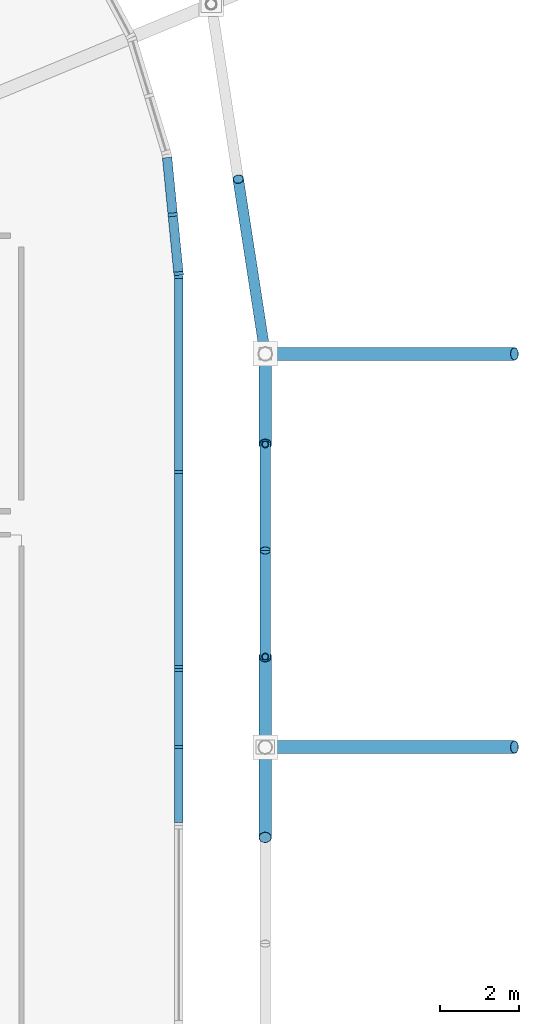
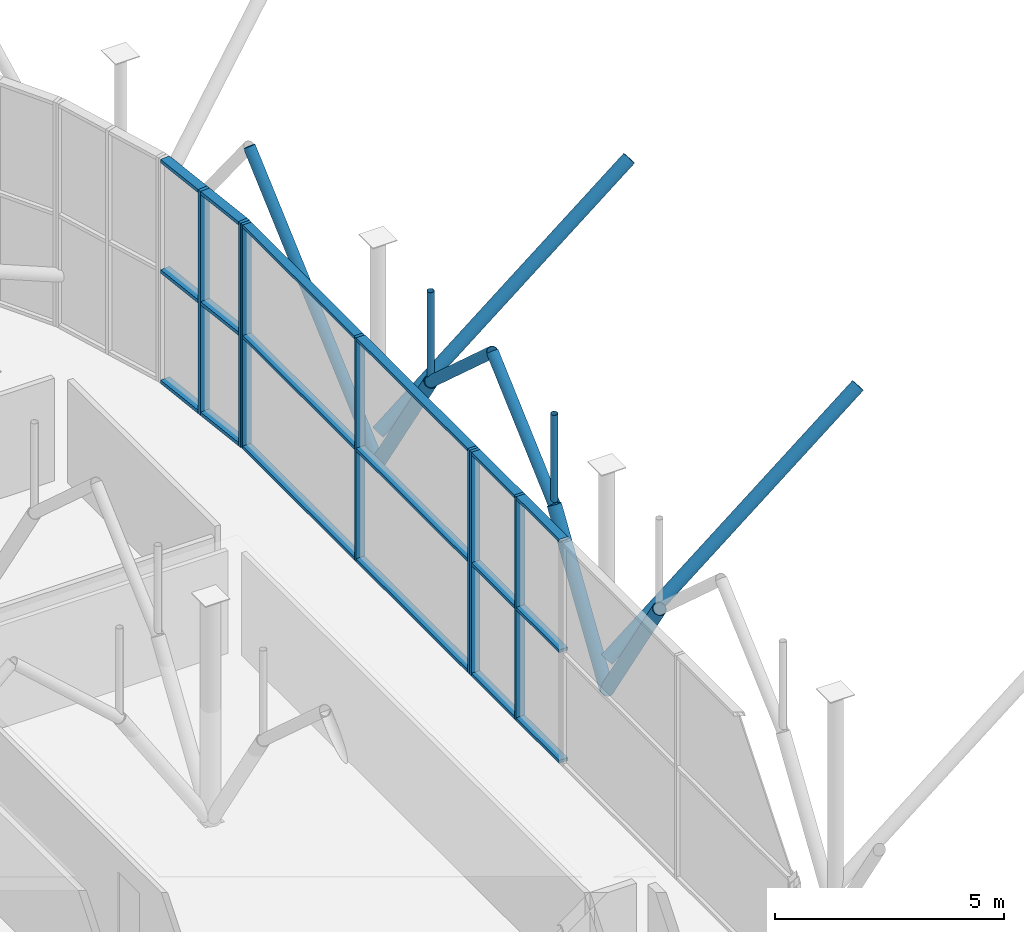
# One storey, part 79 of 109: 35 members, 3 elements without a shape of their own.
"""IFC4 building model written with IfcOpenShell, lengths in metres."""

from ifc_helpers import new_model, si_unit, derived_unit, direction, frame, origin, origin_2d_with_axis, place, context, subcontext, project, spatial, rectangle, hollow_circle, extrude, material, material_profile, profile_set, type_object, element, aggregate, save


model = new_model("IFC4")

# Units and contexts
model_context = context("Model", 3, precision=1e-05, world=origin(), true_north=direction((0.0, 1.0)))
body_context = subcontext(model_context, "Body", "Model", "MODEL_VIEW")
ifc_project = project(units=[si_unit("LENGTHUNIT", "METRE"), si_unit("AREAUNIT", "SQUARE_METRE"), si_unit("VOLUMEUNIT", "CUBIC_METRE"), si_unit("PLANEANGLEUNIT", "RADIAN"), si_unit("MASSUNIT", "GRAM", prefix="KILO"), derived_unit("THERMALTRANSMITTANCEUNIT", [(si_unit("POWERUNIT", "WATT"), 1), (si_unit("LENGTHUNIT", "METRE"), -2), (si_unit("THERMODYNAMICTEMPERATUREUNIT", "KELVIN"), -1)])], contexts=[model_context])

# Site, building, storey
site_placement = place(None, origin())
site = spatial("IfcSite", under=ifc_project, at=site_placement, CompositionType="ELEMENT")
building_placement = place(site_placement, origin())
building = spatial("IfcBuilding", under=site, at=building_placement, Name="Cinnabar Yard Market Hall", CompositionType="ELEMENT")
storey_placement = place(building_placement, frame((0.0, 0.0, 8.39990234375)))
storey = spatial("IfcBuildingStorey", under=building, at=storey_placement, Name="L02", CompositionType="ELEMENT", Elevation=8.39990234375)

# Curtain wall, members
ifc_material_1 = material(Name="Anodised bronze aluminium curved-chord facade", Category="aluminium")
curtain_wall_type_1 = type_object("IfcCurtainWallType", Name="CW-CWC031x60", PredefinedType="NOTDEFINED", material=ifc_material_1)
curtain_wall_1_placement = place(storey_placement, origin())
curtain_wall_1 = element("IfcCurtainWall", 1, at=curtain_wall_1_placement, inside=storey, type_object=curtain_wall_type_1, Name="Corner NE Chord 1 L02", PredefinedType="NOTDEFINED")
ifc_material_2 = material(Name="Anodised bronze aluminium", Category="aluminium")
ifc_material_profile_1 = material_profile(ifc_material_2, rectangle(XDim=0.239990234375, YDim=0.090087890625, at=origin_2d_with_axis()), Name="MUL-CWC")
ifc_profile_set_1 = profile_set([ifc_material_profile_1], Name="Anodised bronze aluminium")
member_type_1 = type_object("IfcMemberType", Name="CWM-CWC", PredefinedType="MULLION", material=ifc_profile_set_1)
member_1_placement = place(storey_placement, frame((163.795654296875, 56.044677734375, 0.0), z_axis=(0.0, 0.0, 1.0), x_axis=(-0.995184408637, -0.098020369342, 0.0)))
member_1 = element("IfcMember", 2, at=member_1_placement, type_object=member_type_1, Name="CWC031x60 mullion 1", PredefinedType="MULLION", context=body_context, shape_type="SweptSolid", body=[
    extrude(rectangle(XDim=0.239990234375, YDim=0.090087890625, at=origin_2d_with_axis()), origin(), (0.0, 0.0, 1.0), 5.97998046875),
])
member_2_placement = place(storey_placement, frame((163.648193359375, 57.541259765625, 0.0), z_axis=(0.0, 0.0, 1.0), x_axis=(-0.995184408637, -0.098020369342, 0.0)))
member_2 = element("IfcMember", 3, at=member_2_placement, type_object=member_type_1, Name="CWC031x60 mullion 2", PredefinedType="MULLION", context=body_context, shape_type="SweptSolid", body=[
    extrude(rectangle(XDim=0.239990234375, YDim=0.090087890625, at=origin_2d_with_axis()), origin(), (0.0, 0.0, 1.0), 5.97998046875),
])

ifc_material_3 = material(Name="Anodised bronze aluminium and low-E glass", Category="aluminium")
curtain_wall_type_2 = type_object("IfcCurtainWallType", Name="CW-CWH040x60", PredefinedType="NOTDEFINED", material=ifc_material_3)
curtain_wall_2_placement = place(storey_placement, origin())
curtain_wall_2 = element("IfcCurtainWall", 4, at=curtain_wall_2_placement, inside=storey, type_object=curtain_wall_type_2, Name="Market Hall East Upper Clerestory WPT", PredefinedType="NOTDEFINED")
ifc_material_profile_2 = material_profile(ifc_material_2, rectangle(XDim=0.219970703125, YDim=0.080078125, at=origin_2d_with_axis()), Name="MUL-CWH")
ifc_profile_set_2 = profile_set([ifc_material_profile_2], Name="Anodised bronze aluminium")
member_type_2 = type_object("IfcMemberType", Name="CWM-CWH", PredefinedType="MULLION", material=ifc_profile_set_2)
member_3_placement = place(storey_placement, frame((163.800048828125, 44.0, 0.0), z_axis=(0.0, 0.0, 1.0), x_axis=(-1.0, 0.0, 0.0)))
member_3 = element("IfcMember", 5, at=member_3_placement, type_object=member_type_2, Name="CWH040x60 mullion 2", PredefinedType="MULLION", context=body_context, shape_type="SweptSolid", body=[
    extrude(rectangle(XDim=0.219970703125, YDim=0.080078125, at=origin_2d_with_axis()), origin(), (0.0, 0.0, 1.0), 5.97998046875),
])
member_4_placement = place(storey_placement, frame((163.800048828125, 45.9599609375, 0.0), z_axis=(0.0, 0.0, 1.0), x_axis=(-1.0, 0.0, 0.0)))
member_4 = element("IfcMember", 6, at=member_4_placement, type_object=member_type_2, Name="CWH040x60 mullion 3", PredefinedType="MULLION", context=body_context, shape_type="SweptSolid", body=[
    extrude(rectangle(XDim=0.219970703125, YDim=0.080078125, at=origin_2d_with_axis()), origin(), (0.0, 0.0, 1.0), 5.97998046875),
])

curtain_wall_type_3 = type_object("IfcCurtainWallType", Name="CW-CWH100x60", PredefinedType="NOTDEFINED", material=ifc_material_3)
curtain_wall_3_placement = place(storey_placement, origin())
curtain_wall_3 = element("IfcCurtainWall", 7, at=curtain_wall_3_placement, inside=storey, type_object=curtain_wall_type_3, Name="Market Hall East Upper Clerestory W2", PredefinedType="NOTDEFINED")
member_5_placement = place(storey_placement, frame((163.800048828125, 46.0400390625, 0.0), z_axis=(0.0, 0.0, 1.0), x_axis=(-1.0, 0.0, 0.0)))
member_5 = element("IfcMember", 8, at=member_5_placement, type_object=member_type_2, Name="CWH100x60 mullion 1", PredefinedType="MULLION", context=body_context, shape_type="SweptSolid", body=[
    extrude(rectangle(XDim=0.219970703125, YDim=0.080078125, at=origin_2d_with_axis()), origin(), (0.0, 0.0, 1.0), 5.97998046875),
])
member_6_placement = place(storey_placement, frame((163.800048828125, 51.0, 0.0), z_axis=(0.0, 0.0, 1.0), x_axis=(-1.0, 0.0, 0.0)))
member_6 = element("IfcMember", 9, at=member_6_placement, type_object=member_type_2, Name="CWH100x60 mullion 2", PredefinedType="MULLION", context=body_context, shape_type="SweptSolid", body=[
    extrude(rectangle(XDim=0.219970703125, YDim=0.080078125, at=origin_2d_with_axis()), origin(), (0.0, 0.0, 1.0), 5.97998046875),
])
member_7_placement = place(storey_placement, frame((163.800048828125, 55.9599609375, 0.0), z_axis=(0.0, 0.0, 1.0), x_axis=(-1.0, 0.0, 0.0)))
member_7 = element("IfcMember", 10, at=member_7_placement, type_object=member_type_2, Name="CWH100x60 mullion 3", PredefinedType="MULLION", context=body_context, shape_type="SweptSolid", body=[
    extrude(rectangle(XDim=0.219970703125, YDim=0.080078125, at=origin_2d_with_axis()), origin(), (0.0, 0.0, 1.0), 5.97998046875),
])

# Member
ifc_material_profile_3 = material_profile(ifc_material_2, rectangle(XDim=0.239990234375, YDim=0.090087890625, at=origin_2d_with_axis()), Name="TRN-CWC")
ifc_profile_set_3 = profile_set([ifc_material_profile_3], Name="Anodised bronze aluminium")
member_type_3 = type_object("IfcMemberType", Name="CWT-CWC", PredefinedType="USERDEFINED", material=ifc_profile_set_3)
member_8_placement = place(storey_placement, frame((163.791259765625, 56.089599609375, 0.045166015625), z_axis=(-0.098101390058, 0.995176425197, 0.0), x_axis=(-0.995176425197, -0.098101390058, 0.0)))
member_8 = element("IfcMember", 11, at=member_8_placement, type_object=member_type_3, Name="CWC031x60 transom 1.1", ObjectType="TRANSOM", PredefinedType="USERDEFINED", context=body_context, shape_type="SweptSolid", body=[
    extrude(rectangle(XDim=0.239990234375, YDim=0.090087890625, at=origin_2d_with_axis()), origin(), (0.0, 0.0, 1.0), 1.41357421875),
])

member_9_placement = place(storey_placement, frame((163.791259765625, 56.089599609375, 2.989990234375), z_axis=(-0.098101390058, 0.995176425197, 0.0), x_axis=(-0.995176425197, -0.098101390058, 0.0)))
member_9 = element("IfcMember", 12, at=member_9_placement, type_object=member_type_3, Name="CWC031x60 transom 1.2", ObjectType="TRANSOM", PredefinedType="USERDEFINED", context=body_context, shape_type="SweptSolid", body=[
    extrude(rectangle(XDim=0.239990234375, YDim=0.090087890625, at=origin_2d_with_axis()), origin(), (0.0, 0.0, 1.0), 1.41357421875),
])

member_10_placement = place(storey_placement, frame((163.791259765625, 56.089599609375, 5.93505859375), z_axis=(-0.098101390058, 0.995176425197, 0.0), x_axis=(-0.995176425197, -0.098101390058, 0.0)))
member_10 = element("IfcMember", 13, at=member_10_placement, type_object=member_type_3, Name="CWC031x60 transom 1.3", ObjectType="TRANSOM", PredefinedType="USERDEFINED", context=body_context, shape_type="SweptSolid", body=[
    extrude(rectangle(XDim=0.239990234375, YDim=0.090087890625, at=origin_2d_with_axis()), origin(), (0.0, 0.0, 1.0), 1.41357421875),
])

member_11_placement = place(storey_placement, frame((163.643798828125, 57.5859375, 0.045166015625), z_axis=(-0.098084531214, 0.995178086946, 0.0), x_axis=(-0.995178086946, -0.098084531214, 0.0)))
member_11 = element("IfcMember", 14, at=member_11_placement, type_object=member_type_3, Name="CWC031x60 transom 2.1", ObjectType="TRANSOM", PredefinedType="USERDEFINED", context=body_context, shape_type="SweptSolid", body=[
    extrude(rectangle(XDim=0.239990234375, YDim=0.090087890625, at=origin_2d_with_axis()), origin(), (0.0, 0.0, 1.0), 1.413818359375),
])

member_12_placement = place(storey_placement, frame((163.643798828125, 57.5859375, 2.989990234375), z_axis=(-0.098084531214, 0.995178086946, 0.0), x_axis=(-0.995178086946, -0.098084531214, 0.0)))
member_12 = element("IfcMember", 15, at=member_12_placement, type_object=member_type_3, Name="CWC031x60 transom 2.2", ObjectType="TRANSOM", PredefinedType="USERDEFINED", context=body_context, shape_type="SweptSolid", body=[
    extrude(rectangle(XDim=0.239990234375, YDim=0.090087890625, at=origin_2d_with_axis()), origin(), (0.0, 0.0, 1.0), 1.413818359375),
])

member_13_placement = place(storey_placement, frame((163.643798828125, 57.5859375, 5.93505859375), z_axis=(-0.098084531214, 0.995178086946, 0.0), x_axis=(-0.995178086946, -0.098084531214, 0.0)))
member_13 = element("IfcMember", 16, at=member_13_placement, type_object=member_type_3, Name="CWC031x60 transom 2.3", ObjectType="TRANSOM", PredefinedType="USERDEFINED", context=body_context, shape_type="SweptSolid", body=[
    extrude(rectangle(XDim=0.239990234375, YDim=0.090087890625, at=origin_2d_with_axis()), origin(), (0.0, 0.0, 1.0), 1.413818359375),
])

aggregate(curtain_wall_1, [member_1, member_2, member_8, member_9, member_10, member_11, member_12, member_13])

ifc_material_profile_4 = material_profile(ifc_material_2, rectangle(XDim=0.219970703125, YDim=0.080078125, at=origin_2d_with_axis()), Name="TRN-CWH")
ifc_profile_set_4 = profile_set([ifc_material_profile_4], Name="Anodised bronze aluminium")
member_type_4 = type_object("IfcMemberType", Name="CWT-CWH", PredefinedType="USERDEFINED", material=ifc_profile_set_4)
member_14_placement = place(storey_placement, frame((163.800048828125, 42.080078125, 0.0400390625), z_axis=(0.0, 1.0, 0.0), x_axis=(-1.0, 0.0, 0.0)))
member_14 = element("IfcMember", 17, at=member_14_placement, type_object=member_type_4, Name="CWH040x60 transom 1.1", ObjectType="TRANSOM", PredefinedType="USERDEFINED", context=body_context, shape_type="SweptSolid", body=[
    extrude(rectangle(XDim=0.219970703125, YDim=0.080078125, at=origin_2d_with_axis()), origin(), (0.0, 0.0, 1.0), 1.8798828125),
])

member_15_placement = place(storey_placement, frame((163.800048828125, 42.080078125, 2.989990234375), z_axis=(0.0, 1.0, 0.0), x_axis=(-1.0, 0.0, 0.0)))
member_15 = element("IfcMember", 18, at=member_15_placement, type_object=member_type_4, Name="CWH040x60 transom 1.2", ObjectType="TRANSOM", PredefinedType="USERDEFINED", context=body_context, shape_type="SweptSolid", body=[
    extrude(rectangle(XDim=0.219970703125, YDim=0.080078125, at=origin_2d_with_axis()), origin(), (0.0, 0.0, 1.0), 1.8798828125),
])

member_16_placement = place(storey_placement, frame((163.800048828125, 42.080078125, 5.940185546875), z_axis=(0.0, 1.0, 0.0), x_axis=(-1.0, 0.0, 0.0)))
member_16 = element("IfcMember", 19, at=member_16_placement, type_object=member_type_4, Name="CWH040x60 transom 1.3", ObjectType="TRANSOM", PredefinedType="USERDEFINED", context=body_context, shape_type="SweptSolid", body=[
    extrude(rectangle(XDim=0.219970703125, YDim=0.080078125, at=origin_2d_with_axis()), origin(), (0.0, 0.0, 1.0), 1.8798828125),
])

member_17_placement = place(storey_placement, frame((163.800048828125, 44.0400390625, 0.0400390625), z_axis=(0.0, 1.0, 0.0), x_axis=(-1.0, 0.0, 0.0)))
member_17 = element("IfcMember", 20, at=member_17_placement, type_object=member_type_4, Name="CWH040x60 transom 2.1", ObjectType="TRANSOM", PredefinedType="USERDEFINED", context=body_context, shape_type="SweptSolid", body=[
    extrude(rectangle(XDim=0.219970703125, YDim=0.080078125, at=origin_2d_with_axis()), origin(), (0.0, 0.0, 1.0), 1.8798828125),
])

member_18_placement = place(storey_placement, frame((163.800048828125, 44.0400390625, 2.989990234375), z_axis=(0.0, 1.0, 0.0), x_axis=(-1.0, 0.0, 0.0)))
member_18 = element("IfcMember", 21, at=member_18_placement, type_object=member_type_4, Name="CWH040x60 transom 2.2", ObjectType="TRANSOM", PredefinedType="USERDEFINED", context=body_context, shape_type="SweptSolid", body=[
    extrude(rectangle(XDim=0.219970703125, YDim=0.080078125, at=origin_2d_with_axis()), origin(), (0.0, 0.0, 1.0), 1.8798828125),
])

member_19_placement = place(storey_placement, frame((163.800048828125, 44.0400390625, 5.940185546875), z_axis=(0.0, 1.0, 0.0), x_axis=(-1.0, 0.0, 0.0)))
member_19 = element("IfcMember", 22, at=member_19_placement, type_object=member_type_4, Name="CWH040x60 transom 2.3", ObjectType="TRANSOM", PredefinedType="USERDEFINED", context=body_context, shape_type="SweptSolid", body=[
    extrude(rectangle(XDim=0.219970703125, YDim=0.080078125, at=origin_2d_with_axis()), origin(), (0.0, 0.0, 1.0), 1.8798828125),
])

aggregate(curtain_wall_2, [member_3, member_4, member_14, member_15, member_16, member_17, member_18, member_19])

member_20_placement = place(storey_placement, frame((163.800048828125, 46.080078125, 0.0400390625), z_axis=(0.0, 1.0, 0.0), x_axis=(-1.0, 0.0, 0.0)))
member_20 = element("IfcMember", 23, at=member_20_placement, type_object=member_type_4, Name="CWH100x60 transom 1.1", ObjectType="TRANSOM", PredefinedType="USERDEFINED", context=body_context, shape_type="SweptSolid", body=[
    extrude(rectangle(XDim=0.219970703125, YDim=0.080078125, at=origin_2d_with_axis()), origin(), (0.0, 0.0, 1.0), 4.8798828125),
])

member_21_placement = place(storey_placement, frame((163.800048828125, 46.080078125, 2.989990234375), z_axis=(0.0, 1.0, 0.0), x_axis=(-1.0, 0.0, 0.0)))
member_21 = element("IfcMember", 24, at=member_21_placement, type_object=member_type_4, Name="CWH100x60 transom 1.2", ObjectType="TRANSOM", PredefinedType="USERDEFINED", context=body_context, shape_type="SweptSolid", body=[
    extrude(rectangle(XDim=0.219970703125, YDim=0.080078125, at=origin_2d_with_axis()), origin(), (0.0, 0.0, 1.0), 4.8798828125),
])

member_22_placement = place(storey_placement, frame((163.800048828125, 46.080078125, 5.940185546875), z_axis=(0.0, 1.0, 0.0), x_axis=(-1.0, 0.0, 0.0)))
member_22 = element("IfcMember", 25, at=member_22_placement, type_object=member_type_4, Name="CWH100x60 transom 1.3", ObjectType="TRANSOM", PredefinedType="USERDEFINED", context=body_context, shape_type="SweptSolid", body=[
    extrude(rectangle(XDim=0.219970703125, YDim=0.080078125, at=origin_2d_with_axis()), origin(), (0.0, 0.0, 1.0), 4.8798828125),
])

member_23_placement = place(storey_placement, frame((163.800048828125, 51.0400390625, 0.0400390625), z_axis=(0.0, 1.0, 0.0), x_axis=(-1.0, 0.0, 0.0)))
member_23 = element("IfcMember", 26, at=member_23_placement, type_object=member_type_4, Name="CWH100x60 transom 2.1", ObjectType="TRANSOM", PredefinedType="USERDEFINED", context=body_context, shape_type="SweptSolid", body=[
    extrude(rectangle(XDim=0.219970703125, YDim=0.080078125, at=origin_2d_with_axis()), origin(), (0.0, 0.0, 1.0), 4.8798828125),
])

member_24_placement = place(storey_placement, frame((163.800048828125, 51.0400390625, 2.989990234375), z_axis=(0.0, 1.0, 0.0), x_axis=(-1.0, 0.0, 0.0)))
member_24 = element("IfcMember", 27, at=member_24_placement, type_object=member_type_4, Name="CWH100x60 transom 2.2", ObjectType="TRANSOM", PredefinedType="USERDEFINED", context=body_context, shape_type="SweptSolid", body=[
    extrude(rectangle(XDim=0.219970703125, YDim=0.080078125, at=origin_2d_with_axis()), origin(), (0.0, 0.0, 1.0), 4.8798828125),
])

member_25_placement = place(storey_placement, frame((163.800048828125, 51.0400390625, 5.940185546875), z_axis=(0.0, 1.0, 0.0), x_axis=(-1.0, 0.0, 0.0)))
member_25 = element("IfcMember", 28, at=member_25_placement, type_object=member_type_4, Name="CWH100x60 transom 2.3", ObjectType="TRANSOM", PredefinedType="USERDEFINED", context=body_context, shape_type="SweptSolid", body=[
    extrude(rectangle(XDim=0.219970703125, YDim=0.080078125, at=origin_2d_with_axis()), origin(), (0.0, 0.0, 1.0), 4.8798828125),
])

aggregate(curtain_wall_3, [member_5, member_6, member_7, member_20, member_21, member_22, member_23, member_24, member_25])

# Members
ifc_material_4 = material(Name="Spotted-gum glulam-clad steel Grade 350 (350 MPa)", Category="steel")
ifc_material_profile_5 = material_profile(ifc_material_4, hollow_circle(Radius=0.136474609375, WallThickness=0.00927734375, at=origin_2d_with_axis()), Name="273.1x9.3CHS")
ifc_profile_set_5 = profile_set([ifc_material_profile_5], Name="Spotted-gum glulam-clad steel Grade 350 (350 MPa)")
member_type_5 = type_object("IfcMemberType", Name="MB-AR01E", PredefinedType="USERDEFINED", material=ifc_profile_set_5)
for number, where, z_axis, x_axis, name in (
    (29, (166.0, 46.300048828125, 3.550048828125), (0.0, 0.743297488271, 0.668961018244), (-1.0, 0.0, 0.0), "Pointed Arch Rib 0173"),
    (30, (166.0, 51.699951171875, 3.550048828125), (0.0, -0.743297488271, 0.668961018244), (1.0, 0.0, 0.0), "Pointed Arch Rib 0176"),
):
    element("IfcMember", number, at=place(storey_placement, frame(where, z_axis=z_axis, x_axis=x_axis)), inside=storey, type_object=member_type_5, Name=name, ObjectType="ARCH RIB", PredefinedType="USERDEFINED", context=body_context, shape_type="SweptSolid", body=[
        extrude(hollow_circle(Radius=0.136474609375, WallThickness=0.00927734375, at=origin_2d_with_axis()), origin(), (0.0, 0.0, 1.0), 3.63232421875),
    ])
member_26_placement = place(storey_placement, frame((166.0, 54.0, 0.0), z_axis=(-0.09156162834, 0.593975880497, 0.799255354441), x_axis=(-0.988326460719, -0.152350933845, 0.0)))
element("IfcMember", 31, at=member_26_placement, inside=storey, type_object=member_type_5, Name="Corner Pointed Arch NE 1A", ObjectType="ARCH RIB", PredefinedType="USERDEFINED", context=body_context, shape_type="SweptSolid", body=[
    extrude(hollow_circle(Radius=0.136474609375, WallThickness=0.00927734375, at=origin_2d_with_axis()), origin(), (0.0, 0.0, 1.0), 7.48193359375),
])
ifc_material_profile_6 = material_profile(ifc_material_4, hollow_circle(Radius=0.161865234375, WallThickness=0.009521484375, at=origin_2d_with_axis()), Name="323.9x9.5CHS")
ifc_profile_set_6 = profile_set([ifc_material_profile_6], Name="Spotted-gum glulam-clad steel Grade 350 (350 MPa)")
member_type_6 = type_object("IfcMemberType", Name="MB-ST01E", PredefinedType="STRUT", material=ifc_profile_set_6)
for number, where, z_axis, x_axis, name in (
    (32, (166.0, 44.0, 0.0), (0.0, 0.543744165176, 0.839251024925), (-1.0, 0.0, 0.0), "Curved Branch Arm Lower 0173"),
    (33, (166.0, 44.0, 0.0), (0.0, -0.543744165176, 0.839251024925), (1.0, 0.0, 0.0), "Curved Branch Arm Lower 0174"),
    (34, (166.0, 54.0, 0.0), (0.0, -0.543744165176, 0.839251024925), (1.0, 0.0, 0.0), "Curved Branch Arm Lower 0176"),
):
    element("IfcMember", number, at=place(storey_placement, frame(where, z_axis=z_axis, x_axis=x_axis)), inside=storey, type_object=member_type_6, Name=name, PredefinedType="STRUT", context=body_context, shape_type="SweptSolid", body=[
        extrude(hollow_circle(Radius=0.161865234375, WallThickness=0.009521484375, at=origin_2d_with_axis()), origin(), (0.0, 0.0, 1.0), 4.22998046875),
    ])
for number, where, z_axis, x_axis, name in (
    (35, (166.0, 44.0, 0.800048828125), (0.779185735248, 0.0, 0.626793099824), (0.0, 1.0, 0.0), "East Chhajja Bracket Arm 44"),
    (36, (166.0, 54.0, 0.800048828125), (0.779185735248, 0.0, 0.626793099824), (0.0, 1.0, 0.0), "East Chhajja Bracket Arm 54"),
):
    element("IfcMember", number, at=place(storey_placement, frame(where, z_axis=z_axis, x_axis=x_axis)), inside=storey, type_object=member_type_6, Name=name, PredefinedType="STRUT", context=body_context, shape_type="SweptSolid", body=[
        extrude(hollow_circle(Radius=0.161865234375, WallThickness=0.009521484375, at=origin_2d_with_axis()), origin(), (0.0, 0.0, 1.0), 8.13671875),
    ])
ifc_material_5 = material(Name="Cold-formed steel C350L0", Category="steel")
ifc_material_profile_7 = material_profile(ifc_material_5, hollow_circle(Radius=0.084228515625, WallThickness=0.00634765625, at=origin_2d_with_axis()), Name="168.3x6.4CHS")
ifc_profile_set_7 = profile_set([ifc_material_profile_7], Name="Cold-formed steel C350L0")
member_type_7 = type_object("IfcMemberType", Name="MB-WB01E", PredefinedType="STRUT", material=ifc_profile_set_7)
for number, where, z_axis, x_axis, name in (
    (37, (166.0, 46.300048828125, 3.550048828125), (0.0, 0.0, 1.0), (1.0, 0.0, 0.0), "Arch Spandrel Post 0173"),
    (38, (166.0, 51.699951171875, 3.550048828125), (0.0, 0.0, 1.0), (1.0, 0.0, 0.0), "Arch Spandrel Post 0176"),
):
    element("IfcMember", number, at=place(storey_placement, frame(where, z_axis=z_axis, x_axis=x_axis)), inside=storey, type_object=member_type_7, Name=name, PredefinedType="STRUT", context=body_context, shape_type="SweptSolid", body=[
        extrude(hollow_circle(Radius=0.084228515625, WallThickness=0.00634765625, at=origin_2d_with_axis()), origin(), (0.0, 0.0, 1.0), 2.429931640625),
    ])

save(model, "model.ifc")
